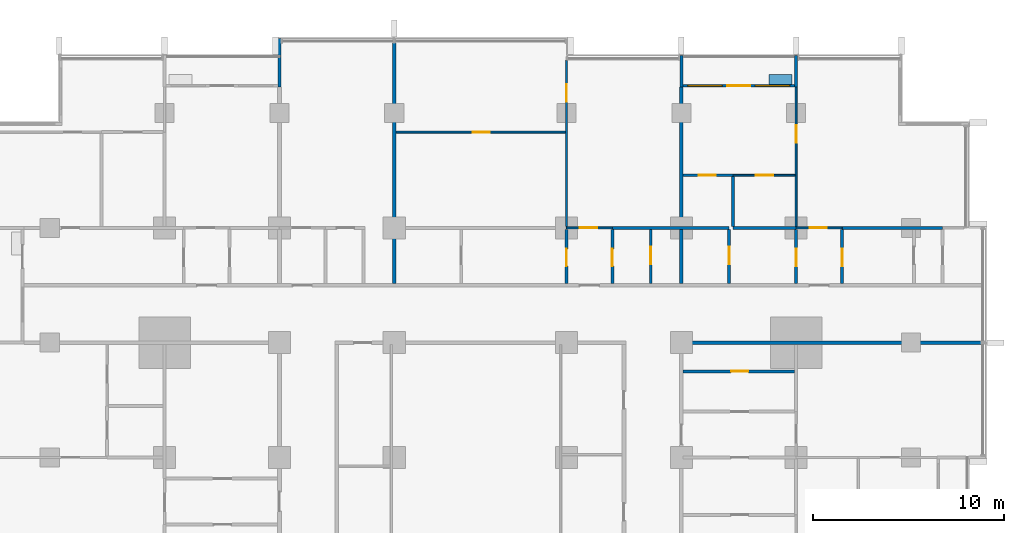
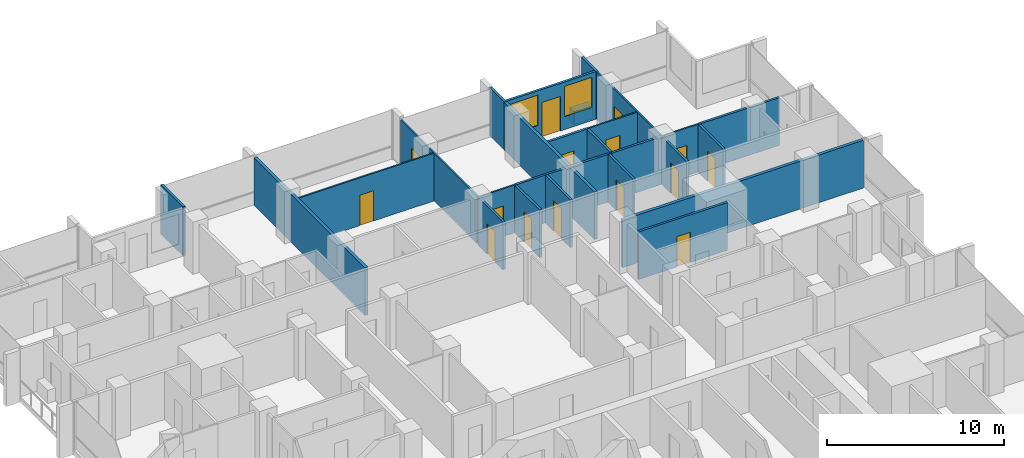
# One storey, part 12 of 18: 27 walls, 15 doors, 2 windows, 17 openings.
"""IFC4 building model written with IfcOpenShell, lengths in metres."""

import ifcopenshell
import ifcopenshell.guid

model = None  # the IFC model being written
_history = None  # IfcOwnerHistory: only IFC2X3 demands one
_inside = {}  # id of a spatial element -> (the spatial element, [elements in it])
_under = {}  # id of a project, library or spatial element -> (it, [spatial elements below it])
_declared = {}  # id of a project -> (the project, [libraries it declares])
_typed = {}  # id of a type object -> (the type object, [elements of that type])
_made_of = {}  # id of a material, layer set ... -> (it, [elements and type objects made of it])


def new_model(schema):
    """Start an empty IFC model of exactly this schema.

    Asked for "IFC4X3", IfcOpenShell would pick the latest addendum, in which some entities
    have other attributes; the version numbers below select the first issue.
    IFC2X3 requires an IfcOwnerHistory on every rooted entity: one is made here for all.
    """
    global model, _history
    if schema == "IFC4X3":
        model = ifcopenshell.file(schema_version=(4, 3, 0, 0))
    else:
        model = ifcopenshell.file(schema=schema)
    _inside.clear()
    _under.clear()
    _declared.clear()
    _typed.clear()
    _made_of.clear()
    _history = None
    if model.schema == "IFC2X3":
        org = make("IfcOrganization", Name="unknown")
        user = make(
            "IfcPersonAndOrganization",
            ThePerson=make("IfcPerson", FamilyName="unknown"),
            TheOrganization=org,
        )
        app = make(
            "IfcApplication",
            ApplicationDeveloper=org,
            Version="unknown",
            ApplicationFullName="unknown",
            ApplicationIdentifier="unknown",
        )
        _history = make(
            "IfcOwnerHistory",
            OwningUser=user,
            OwningApplication=app,
            ChangeAction="ADDED",
            CreationDate=0,
        )
    return model


def make(cls, **values):
    """One entity of the class cls with the attributes given. An attribute that is None is left unset."""
    return model.create_entity(
        cls, **{name: value for name, value in values.items() if value is not None}
    )


def rooted(cls, **values):
    """An entity with a GlobalId (a new one), such as an element, a storey or a relation."""
    return make(cls, GlobalId=ifcopenshell.guid.new(), OwnerHistory=_history, **values)


def si_unit(unit_type, name, prefix=None):
    """IfcSIUnit, for example si_unit("LENGTHUNIT", "METRE", prefix="MILLI")."""
    return make("IfcSIUnit", UnitType=unit_type, Prefix=prefix, Name=name)


def assignment(units):
    """IfcUnitAssignment: the units of a project."""
    return None if units is None else make("IfcUnitAssignment", Units=units)


def point(xyz):
    """IfcCartesianPoint."""
    return None if xyz is None else make("IfcCartesianPoint", Coordinates=xyz)


def direction(xyz):
    """IfcDirection."""
    return None if xyz is None else make("IfcDirection", DirectionRatios=xyz)


def frame(location, z_axis=None, x_axis=None):
    """IfcAxis2Placement3D, a coordinate frame: its origin and axes. An axis left out is left unset."""
    return make(
        "IfcAxis2Placement3D",
        Location=point(location),
        Axis=direction(z_axis),
        RefDirection=direction(x_axis),
    )


def frame_2d(location, x_axis=None):
    """IfcAxis2Placement2D, a coordinate frame in the plane: its origin and x axis."""
    return make(
        "IfcAxis2Placement2D", Location=point(location), RefDirection=direction(x_axis)
    )


def origin():
    """The frame at (0, 0, 0) with its axes left unset."""
    return frame((0.0, 0.0, 0.0))


def place(relative_to, where):
    """IfcLocalPlacement: puts the frame where relative to a parent placement (None: the world)."""
    return make(
        "IfcLocalPlacement", PlacementRelTo=relative_to, RelativePlacement=where
    )


def context(
    kind, dimensions, precision=None, world=None, true_north=None, identifier=None
):
    """IfcGeometricRepresentationContext, for example the 3D "Model" context."""
    return make(
        "IfcGeometricRepresentationContext",
        ContextIdentifier=identifier,
        ContextType=kind,
        CoordinateSpaceDimension=dimensions,
        Precision=precision,
        WorldCoordinateSystem=world,
        TrueNorth=true_north,
    )


def subcontext(parent, identifier, kind, view, scale=None):
    """IfcGeometricRepresentationSubContext, for example "Body" below "Model"."""
    return make(
        "IfcGeometricRepresentationSubContext",
        ContextIdentifier=identifier,
        ContextType=kind,
        ParentContext=parent,
        TargetScale=scale,
        TargetView=view,
    )


def project(units=None, contexts=None):
    """IfcProject with its units and contexts."""
    return rooted(
        "IfcProject",
        Name="project",
        RepresentationContexts=contexts,
        UnitsInContext=assignment(units),
    )


def spatial(cls, under=None, at=None, **own):
    """A site, building, storey or space (cls), placed at a placement, below another one or the project."""
    s = rooted(cls, ObjectPlacement=at, **own)
    if under is not None:
        _under.setdefault(under.id(), (under, []))[1].append(s)
    return s


def profile(cls, at=None, kind="AREA", **sizes):
    """A parametric profile (cls). Its sizes go by their IFC names, for example OverallWidth=200.0."""
    return make(cls, ProfileType=kind, Position=at, **sizes)


def rectangle(**sizes):
    """IfcRectangleProfileDef."""
    return profile("IfcRectangleProfileDef", **sizes)


def extrude(swept, where, along, depth):
    """IfcExtrudedAreaSolid: the profile swept, set in the frame where, extruded along a direction by depth."""
    return make(
        "IfcExtrudedAreaSolid",
        SweptArea=swept,
        Position=where,
        ExtrudedDirection=direction(along),
        Depth=depth,
    )


def shape(context_of_items, identifier, shape_type, items):
    """IfcShapeRepresentation: the items that make up one representation, for example the "Body"."""
    return make(
        "IfcShapeRepresentation",
        ContextOfItems=context_of_items,
        RepresentationIdentifier=identifier,
        RepresentationType=shape_type,
        Items=items,
    )


def material(Name=None, Category=None):
    """IfcMaterial."""
    return make("IfcMaterial", Name=Name, Category=Category)


def layer(
    of_material, thickness, ventilated=None, Name=None, Category=None, Priority=None
):
    """IfcMaterialLayer: one layer of a wall or slab, of a material (None: an air gap)."""
    return make(
        "IfcMaterialLayer",
        Material=of_material,
        LayerThickness=thickness,
        IsVentilated=ventilated,
        Name=Name,
        Category=Category,
        Priority=Priority,
    )


def layer_set(layers, Name=None):
    """IfcMaterialLayerSet."""
    return make("IfcMaterialLayerSet", MaterialLayers=layers, LayerSetName=Name)


def made_of(thing, what):
    """Note that an element or type object is made of a material, layer set ...; save() writes the relation."""
    if what is not None:
        _made_of.setdefault(what.id(), (what, []))[1].append(thing)
    return thing


def type_object(cls, material=None, **own):
    """A type object (cls), such as IfcWallType, which elements share."""
    return made_of(rooted(cls, **own), material)


def element(
    cls,
    number,
    at=None,
    inside=None,
    cuts=None,
    type_object=None,
    material=None,
    context=None,
    identifier="Body",
    shape_type=None,
    held_by="IfcProductDefinitionShape",
    body=None,
    shapes=None,
    **own,
):
    """One element of the class cls, such as IfcWall. Its Tag is "e" and its number.

    at: its placement. inside: the storey or other place that contains it. cuts: it is an
    opening in that element (IfcRelVoidsElement). A single representation is given by context,
    identifier, shape_type and body (its items); several are given by shapes. held_by: the class
    of the entity that holds the representations. save() writes the other relations.
    """
    e = rooted(cls, Tag="e%d" % number, ObjectPlacement=at, **own)
    if body is not None:
        shapes = [shape(context, identifier, shape_type, body)]
    if shapes is not None:
        e.Representation = make(held_by, Representations=shapes)
    if inside is not None:
        _inside.setdefault(inside.id(), (inside, []))[1].append(e)
    if cuts is not None:
        rooted(
            "IfcRelVoidsElement", RelatingBuildingElement=cuts, RelatedOpeningElement=e
        )
    if type_object is not None:
        _typed.setdefault(type_object.id(), (type_object, []))[1].append(e)
    return made_of(e, material)


def fill(opening, filler):
    """IfcRelFillsElement: the door or window that sits in an opening."""
    return rooted(
        "IfcRelFillsElement",
        RelatingOpeningElement=opening,
        RelatedBuildingElement=filler,
    )


def aggregate(whole, parts):
    """IfcRelAggregates: a whole, such as a stair, and the parts it consists of."""
    return rooted("IfcRelAggregates", RelatingObject=whole, RelatedObjects=parts)


def save(model, path):
    """Write the relations noted so far, then the file.

    IfcRelAggregates (storeys below a building ...), IfcRelContainedInSpatialStructure (elements
    in a storey), IfcRelDefinesByType, IfcRelAssociatesMaterial and IfcRelDeclares: one each for
    every whole, place, type object, material and project.
    """
    for whole, parts in _under.values():
        aggregate(whole, parts)
    for where, things in _inside.values():
        rooted(
            "IfcRelContainedInSpatialStructure",
            RelatedElements=things,
            RelatingStructure=where,
        )
    for kind, things in _typed.values():
        rooted("IfcRelDefinesByType", RelatedObjects=things, RelatingType=kind)
    for what, things in _made_of.values():
        rooted("IfcRelAssociatesMaterial", RelatedObjects=things, RelatingMaterial=what)
    for by, libraries in _declared.values():
        rooted("IfcRelDeclares", RelatingContext=by, RelatedDefinitions=libraries)
    model.write(path)


model = new_model("IFC4")

# Units and contexts
model_context = context("Model", 3, precision=1e-05, world=origin(), true_north=direction((0.0, 1.0)))
body_context = subcontext(model_context, "Body", "Model", "MODEL_VIEW")
ifc_project = project(units=[si_unit("LENGTHUNIT", "METRE"), si_unit("AREAUNIT", "SQUARE_METRE"), si_unit("VOLUMEUNIT", "CUBIC_METRE"), si_unit("PLANEANGLEUNIT", "RADIAN"), si_unit("MASSUNIT", "GRAM", prefix="KILO")], contexts=[model_context])

# Site, building, storey
site_placement = place(None, origin())
site = spatial("IfcSite", under=ifc_project, at=site_placement, CompositionType="ELEMENT")
building_placement = place(site_placement, origin())
building = spatial("IfcBuilding", under=site, at=building_placement, Name="Finial Court Residences", CompositionType="ELEMENT")
storey_placement = place(building_placement, frame((0.0, 0.0, 106.300048828125)))
storey = spatial("IfcBuildingStorey", under=building, at=storey_placement, Name="L26", CompositionType="ELEMENT", Elevation=106.300048828125)

# Walls
ifc_material_1 = material(Name="Gypsum board")
ifc_layer_1 = layer(ifc_material_1, 0.02490234375)
ifc_material_2 = material(Name="Acoustic mineral wool in double frame")
ifc_layer_2 = layer(ifc_material_2, 0.14990234375)
ifc_layer_3 = layer(ifc_material_1, 0.02490234375)
ifc_layer_set_1 = layer_set([ifc_layer_1, ifc_layer_2, ifc_layer_3], Name="Acoustic party wall 200, 1 hour")
wall_type_1 = type_object("IfcWallType", Name="Acoustic party wall 200, 1 hour", PredefinedType="PARTITIONING", material=ifc_layer_set_1)
wall_1_placement = place(storey_placement, frame((-4.5, 10.60009765625, 0.0), z_axis=(0.0, 0.0, 1.0), x_axis=(0.0, 1.0, 0.0)))
element("IfcWall", 1, at=wall_1_placement, inside=storey, type_object=wall_type_1, Name="Partition L26-068", PredefinedType="PARTITIONING", context=body_context, shape_type="SweptSolid", body=[
    extrude(rectangle(XDim=12.5498046875, YDim=0.199951171875, at=frame_2d((6.27490234375, 0.0))), origin(), (0.0, 0.0, 1.0), 3.300048828125),
])
wall_2_placement = place(storey_placement, frame((10.5, 10.60009765625, 0.0), z_axis=(0.0, 0.0, 1.0), x_axis=(0.0, 1.0, 0.0)))
element("IfcWall", 2, at=wall_2_placement, inside=storey, type_object=wall_type_1, Name="Partition L26-077", PredefinedType="PARTITIONING", context=body_context, shape_type="SweptSolid", body=[
    extrude(rectangle(XDim=2.824951171875, YDim=0.199951171875, at=frame_2d((1.41259765625, 0.0))), origin(), (0.0, 0.0, 1.0), 3.300048828125),
])
wall_3_placement = place(storey_placement, frame((10.5, 13.574951171875, 0.0), z_axis=(0.0, 0.0, 1.0), x_axis=(0.0, 1.0, 0.0)))
element("IfcWall", 3, at=wall_3_placement, inside=storey, type_object=wall_type_1, Name="Partition L26-078", PredefinedType="PARTITIONING", context=body_context, shape_type="SweptSolid", body=[
    extrude(rectangle(XDim=7.275146484375, YDim=0.199951171875, at=frame_2d((3.6376953125, 0.0))), origin(), (0.0, 0.0, 1.0), 3.300048828125),
])
ifc_layer_4 = layer(ifc_material_1, 0.02490234375)
ifc_layer_5 = layer(ifc_material_2, 0.14990234375)
ifc_layer_6 = layer(ifc_material_1, 0.02490234375)
ifc_layer_set_2 = layer_set([ifc_layer_4, ifc_layer_5, ifc_layer_6], Name="Corridor wall 200, 1 hour")
wall_type_2 = type_object("IfcWallType", Name="Corridor wall 200, 1 hour", PredefinedType="PARTITIONING", material=ifc_layer_set_2)
wall_4_placement = place(storey_placement, frame((10.39990234375, 7.5, 0.0), z_axis=(0.0, 0.0, 1.0), x_axis=(1.0, 0.0, 0.0)))
element("IfcWall", 4, at=wall_4_placement, inside=storey, type_object=wall_type_2, Name="Partition L26-026", PredefinedType="PARTITIONING", context=body_context, shape_type="SweptSolid", body=[
    extrude(rectangle(XDim=15.75, YDim=0.199951171875, at=frame_2d((7.875, 0.0))), origin(), (0.0, 0.0, 1.0), 3.300048828125),
])

# Wall, opening, door
ifc_layer_7 = layer(ifc_material_1, 0.012451171875)
ifc_material_3 = material(Name="Mineral wool in light-gauge frame")
ifc_layer_8 = layer(ifc_material_3, 0.074951171875)
ifc_layer_9 = layer(ifc_material_1, 0.012451171875)
ifc_layer_set_3 = layer_set([ifc_layer_7, ifc_layer_8, ifc_layer_9], Name="Gypsum board partition 100")
wall_type_3 = type_object("IfcWallType", Name="Gypsum board partition 100", PredefinedType="PARTITIONING", material=ifc_layer_set_3)
wall_5_placement = place(storey_placement, frame((4.5, 13.5, 0.0), z_axis=(0.0, 0.0, 1.0), x_axis=(1.0, 0.0, 0.0)))
wall_5 = element("IfcWall", 5, at=wall_5_placement, inside=storey, type_object=wall_type_3, Name="Partition L26-030", PredefinedType="PARTITIONING", context=body_context, shape_type="SweptSolid", body=[
    extrude(rectangle(XDim=2.39990234375, YDim=0.10009765625, at=frame_2d((1.199951171875, 0.0))), origin(), (0.0, 0.0, 1.0), 3.300048828125),
])
opening_1_placement = place(wall_5_placement, frame((0.699951171875, 0.0, 0.0)))
opening_1 = element("IfcOpeningElement", 6, at=opening_1_placement, cuts=wall_5, Name="Opening L26-D024", PredefinedType="OPENING", context=body_context, shape_type="SweptSolid", body=[
    extrude(rectangle(XDim=0.89990234375, YDim=2.10009765625, at=frame_2d((0.449951171875, 1.050048828125))), frame((0.0, 0.06005859375, 0.0), z_axis=(0.0, -1.0, 0.0), x_axis=(1.0, 0.0, 0.0)), (0.0, 0.0, 1.0), 0.1201171875),
])
ifc_material_4 = material(Name="Timber door leaf in timber frame", Category="wood")
door_type_1 = type_object("IfcDoorType", Name="Door set 900 x 2100", OperationType="SINGLE_SWING_LEFT", PredefinedType="DOOR", material=ifc_material_4)
door_1_placement = place(opening_1_placement, origin())
door_1 = element("IfcDoor", 7, at=door_1_placement, inside=storey, type_object=door_type_1, Name="Door L26-D024", OperationType="SINGLE_SWING_RIGHT", OverallHeight=2.10009765625, OverallWidth=0.89990234375, PredefinedType="DOOR", context=body_context, shape_type="SweptSolid", body=[
    extrude(rectangle(XDim=0.89990234375, YDim=2.10009765625, at=frame_2d((0.449951171875, 1.050048828125))), frame((0.0, 0.02490234375, 0.0), z_axis=(0.0, -1.0, 0.0), x_axis=(1.0, 0.0, 0.0)), (0.0, 0.0, 1.0), 0.050048828125),
])
fill(opening_1, door_1)

wall_6_placement = place(storey_placement, frame((16.5, 13.5, 0.0), z_axis=(0.0, 0.0, 1.0), x_axis=(1.0, 0.0, 0.0)))
wall_6 = element("IfcWall", 8, at=wall_6_placement, inside=storey, type_object=wall_type_3, Name="Partition L26-031", PredefinedType="PARTITIONING", context=body_context, shape_type="SweptSolid", body=[
    extrude(rectangle(XDim=2.39990234375, YDim=0.10009765625, at=frame_2d((1.199951171875, 0.0))), origin(), (0.0, 0.0, 1.0), 3.300048828125),
])
opening_2_placement = place(wall_6_placement, frame((0.699951171875, 0.0, 0.0)))
opening_2 = element("IfcOpeningElement", 9, at=opening_2_placement, cuts=wall_6, Name="Opening L26-D025", PredefinedType="OPENING", context=body_context, shape_type="SweptSolid", body=[
    extrude(rectangle(XDim=0.89990234375, YDim=2.10009765625, at=frame_2d((0.449951171875, 1.050048828125))), frame((0.0, 0.06005859375, 0.0), z_axis=(0.0, -1.0, 0.0), x_axis=(1.0, 0.0, 0.0)), (0.0, 0.0, 1.0), 0.1201171875),
])
door_2_placement = place(opening_2_placement, origin())
door_2 = element("IfcDoor", 10, at=door_2_placement, inside=storey, type_object=door_type_1, Name="Door L26-D025", OperationType="SINGLE_SWING_LEFT", OverallHeight=2.10009765625, OverallWidth=0.89990234375, PredefinedType="DOOR", context=body_context, shape_type="SweptSolid", body=[
    extrude(rectangle(XDim=0.89990234375, YDim=2.10009765625, at=frame_2d((0.449951171875, 1.050048828125))), frame((0.0, 0.02490234375, 0.0), z_axis=(0.0, -1.0, 0.0), x_axis=(1.0, 0.0, 0.0)), (0.0, 0.0, 1.0), 0.050048828125),
])
fill(opening_2, door_2)

wall_7_placement = place(storey_placement, frame((13.199951171875, 16.25, 0.0), z_axis=(0.0, 0.0, 1.0), x_axis=(1.0, 0.0, 0.0)))
wall_7 = element("IfcWall", 11, at=wall_7_placement, inside=storey, type_object=wall_type_3, Name="Partition L26-040", PredefinedType="PARTITIONING", context=body_context, shape_type="SweptSolid", body=[
    extrude(rectangle(XDim=3.25, YDim=0.10009765625, at=frame_2d((1.625, 0.0))), origin(), (0.0, 0.0, 1.0), 3.300048828125),
])
opening_3_placement = place(wall_7_placement, frame((1.199951171875, 0.0, 0.0)))
opening_3 = element("IfcOpeningElement", 12, at=opening_3_placement, cuts=wall_7, Name="Opening L26-D028", PredefinedType="OPENING", context=body_context, shape_type="SweptSolid", body=[
    extrude(rectangle(XDim=0.89990234375, YDim=2.10009765625, at=frame_2d((0.449951171875, 1.050048828125))), frame((0.0, 0.06005859375, 0.0), z_axis=(0.0, -1.0, 0.0), x_axis=(1.0, 0.0, 0.0)), (0.0, 0.0, 1.0), 0.1201171875),
])
door_3_placement = place(opening_3_placement, origin())
door_3 = element("IfcDoor", 13, at=door_3_placement, inside=storey, type_object=door_type_1, Name="Door L26-D028", OperationType="SINGLE_SWING_RIGHT", OverallHeight=2.10009765625, OverallWidth=0.89990234375, PredefinedType="DOOR", context=body_context, shape_type="SweptSolid", body=[
    extrude(rectangle(XDim=0.89990234375, YDim=2.10009765625, at=frame_2d((0.449951171875, 1.050048828125))), frame((0.0, 0.02490234375, 0.0), z_axis=(0.0, -1.0, 0.0), x_axis=(1.0, 0.0, 0.0)), (0.0, 0.0, 1.0), 0.050048828125),
])
fill(opening_3, door_3)

wall_8_placement = place(storey_placement, frame((-4.39990234375, 18.5, 0.0), z_axis=(0.0, 0.0, 1.0), x_axis=(1.0, 0.0, 0.0)))
wall_8 = element("IfcWall", 14, at=wall_8_placement, inside=storey, type_object=wall_type_3, Name="Partition L26-043", PredefinedType="PARTITIONING", context=body_context, shape_type="SweptSolid", body=[
    extrude(rectangle(XDim=8.849853515625, YDim=0.10009765625, at=frame_2d((4.4248046875, 0.0))), origin(), (0.0, 0.0, 1.0), 3.300048828125),
])
opening_4_placement = place(wall_8_placement, frame((4.0, 0.0, 0.0)))
opening_4 = element("IfcOpeningElement", 15, at=opening_4_placement, cuts=wall_8, Name="Opening L26-D031", PredefinedType="OPENING", context=body_context, shape_type="SweptSolid", body=[
    extrude(rectangle(XDim=0.89990234375, YDim=2.10009765625, at=frame_2d((0.449951171875, 1.050048828125))), frame((0.0, 0.06005859375, 0.0), z_axis=(0.0, -1.0, 0.0), x_axis=(1.0, 0.0, 0.0)), (0.0, 0.0, 1.0), 0.1201171875),
])
door_4_placement = place(opening_4_placement, origin())
door_4 = element("IfcDoor", 16, at=door_4_placement, inside=storey, type_object=door_type_1, Name="Door L26-D031", OperationType="SINGLE_SWING_LEFT", OverallHeight=2.10009765625, OverallWidth=0.89990234375, PredefinedType="DOOR", context=body_context, shape_type="SweptSolid", body=[
    extrude(rectangle(XDim=0.89990234375, YDim=2.10009765625, at=frame_2d((0.449951171875, 1.050048828125))), frame((0.0, 0.02490234375, 0.0), z_axis=(0.0, -1.0, 0.0), x_axis=(1.0, 0.0, 0.0)), (0.0, 0.0, 1.0), 0.050048828125),
])
fill(opening_4, door_4)

wall_9_placement = place(storey_placement, frame((4.5, 13.574951171875, 0.0), z_axis=(0.0, 0.0, 1.0), x_axis=(0.0, 1.0, 0.0)))
wall_9 = element("IfcWall", 17, at=wall_9_placement, inside=storey, type_object=wall_type_3, Name="Partition L26-071", PredefinedType="PARTITIONING", context=body_context, shape_type="SweptSolid", body=[
    extrude(rectangle(XDim=8.675048828125, YDim=0.10009765625, at=frame_2d((4.33740234375, 0.0))), origin(), (0.0, 0.0, 1.0), 3.300048828125),
])
opening_5_placement = place(wall_9_placement, frame((6.52490234375, 0.0, 0.0)))
opening_5 = element("IfcOpeningElement", 18, at=opening_5_placement, cuts=wall_9, Name="Opening L26-D044", PredefinedType="OPENING", context=body_context, shape_type="SweptSolid", body=[
    extrude(rectangle(XDim=0.89990234375, YDim=2.10009765625, at=frame_2d((0.449951171875, 1.050048828125))), frame((0.0, 0.06005859375, 0.0), z_axis=(0.0, -1.0, 0.0), x_axis=(1.0, 0.0, 0.0)), (0.0, 0.0, 1.0), 0.1201171875),
])
door_5_placement = place(opening_5_placement, origin())
door_5 = element("IfcDoor", 19, at=door_5_placement, inside=storey, type_object=door_type_1, Name="Door L26-D044", OperationType="SINGLE_SWING_LEFT", OverallHeight=2.10009765625, OverallWidth=0.89990234375, PredefinedType="DOOR", context=body_context, shape_type="SweptSolid", body=[
    extrude(rectangle(XDim=0.89990234375, YDim=2.10009765625, at=frame_2d((0.449951171875, 1.050048828125))), frame((0.0, 0.02490234375, 0.0), z_axis=(0.0, -1.0, 0.0), x_axis=(1.0, 0.0, 0.0)), (0.0, 0.0, 1.0), 0.050048828125),
])
fill(opening_5, door_5)

wall_10_placement = place(storey_placement, frame((16.5, 13.574951171875, 0.0), z_axis=(0.0, 0.0, 1.0), x_axis=(0.0, 1.0, 0.0)))
wall_10 = element("IfcWall", 20, at=wall_10_placement, inside=storey, type_object=wall_type_3, Name="Partition L26-085", PredefinedType="PARTITIONING", context=body_context, shape_type="SweptSolid", body=[
    extrude(rectangle(XDim=7.275146484375, YDim=0.10009765625, at=frame_2d((3.6376953125, 0.0))), origin(), (0.0, 0.0, 1.0), 3.300048828125),
])
opening_6_placement = place(wall_10_placement, frame((4.375, 0.0, 0.0)))
opening_6 = element("IfcOpeningElement", 21, at=opening_6_placement, cuts=wall_10, Name="Opening L26-D054", PredefinedType="OPENING", context=body_context, shape_type="SweptSolid", body=[
    extrude(rectangle(XDim=0.89990234375, YDim=2.10009765625, at=frame_2d((0.449951171875, 1.050048828125))), frame((0.0, 0.06005859375, 0.0), z_axis=(0.0, -1.0, 0.0), x_axis=(1.0, 0.0, 0.0)), (0.0, 0.0, 1.0), 0.1201171875),
])
door_6_placement = place(opening_6_placement, origin())
door_6 = element("IfcDoor", 22, at=door_6_placement, inside=storey, type_object=door_type_1, Name="Door L26-D054", OperationType="SINGLE_SWING_LEFT", OverallHeight=2.10009765625, OverallWidth=0.89990234375, PredefinedType="DOOR", context=body_context, shape_type="SweptSolid", body=[
    extrude(rectangle(XDim=0.89990234375, YDim=2.10009765625, at=frame_2d((0.449951171875, 1.050048828125))), frame((0.0, 0.02490234375, 0.0), z_axis=(0.0, -1.0, 0.0), x_axis=(1.0, 0.0, 0.0)), (0.0, 0.0, 1.0), 0.050048828125),
])
fill(opening_6, door_6)

ifc_material_5 = material(Name="Moisture-resistant gypsum board")
ifc_layer_10 = layer(ifc_material_5, 0.012451171875)
ifc_layer_11 = layer(ifc_material_3, 0.125)
ifc_layer_12 = layer(ifc_material_5, 0.012451171875)
ifc_layer_set_4 = layer_set([ifc_layer_10, ifc_layer_11, ifc_layer_12], Name="Gypsum board wet-area partition 150")
wall_type_4 = type_object("IfcWallType", Name="Gypsum board wet-area partition 150", PredefinedType="PARTITIONING", material=ifc_layer_set_4)
wall_11_placement = place(storey_placement, frame((10.60009765625, 6.0, 0.0), z_axis=(0.0, 0.0, 1.0), x_axis=(1.0, 0.0, 0.0)))
wall_11 = element("IfcWall", 23, at=wall_11_placement, inside=storey, type_object=wall_type_4, Name="Partition L26-023", PredefinedType="PARTITIONING", context=body_context, shape_type="SweptSolid", body=[
    extrude(rectangle(XDim=5.824951171875, YDim=0.14990234375, at=frame_2d((2.91259765625, 0.0))), origin(), (0.0, 0.0, 1.0), 3.300048828125),
])
opening_7_placement = place(wall_11_placement, frame((2.5, 0.0, 0.0)))
opening_7 = element("IfcOpeningElement", 24, at=opening_7_placement, cuts=wall_11, Name="Opening L26-D016", PredefinedType="OPENING", context=body_context, shape_type="SweptSolid", body=[
    extrude(rectangle(XDim=0.89990234375, YDim=2.10009765625, at=frame_2d((0.449951171875, 1.050048828125))), frame((0.0, 0.0849609375, 0.0), z_axis=(0.0, -1.0, 0.0), x_axis=(1.0, 0.0, 0.0)), (0.0, 0.0, 1.0), 0.169921875),
])
door_7_placement = place(opening_7_placement, origin())
door_7 = element("IfcDoor", 25, at=door_7_placement, inside=storey, type_object=door_type_1, Name="Door L26-D016", OperationType="SINGLE_SWING_RIGHT", OverallHeight=2.10009765625, OverallWidth=0.89990234375, PredefinedType="DOOR", context=body_context, shape_type="SweptSolid", body=[
    extrude(rectangle(XDim=0.89990234375, YDim=2.10009765625, at=frame_2d((0.449951171875, 1.050048828125))), frame((0.0, 0.02490234375, 0.0), z_axis=(0.0, -1.0, 0.0), x_axis=(1.0, 0.0, 0.0)), (0.0, 0.0, 1.0), 0.050048828125),
])
fill(opening_7, door_7)

# Walls
wall_12_placement = place(storey_placement, frame((6.89990234375, 13.5, 0.0), z_axis=(0.0, 0.0, 1.0), x_axis=(1.0, 0.0, 0.0)))
element("IfcWall", 26, at=wall_12_placement, inside=storey, type_object=wall_type_4, Name="Partition L26-037", PredefinedType="PARTITIONING", context=body_context, shape_type="SweptSolid", body=[
    extrude(rectangle(XDim=6.10009765625, YDim=0.14990234375, at=frame_2d((3.050048828125, 0.0))), origin(), (0.0, 0.0, 1.0), 3.300048828125),
])
wall_13_placement = place(storey_placement, frame((13.199951171875, 13.5, 0.0), z_axis=(0.0, 0.0, 1.0), x_axis=(1.0, 0.0, 0.0)))
element("IfcWall", 27, at=wall_13_placement, inside=storey, type_object=wall_type_4, Name="Partition L26-038", PredefinedType="PARTITIONING", context=body_context, shape_type="SweptSolid", body=[
    extrude(rectangle(XDim=3.300048828125, YDim=0.14990234375, at=frame_2d((1.64990234375, 0.0))), origin(), (0.0, 0.0, 1.0), 3.300048828125),
])
wall_14_placement = place(storey_placement, frame((18.89990234375, 13.5, 0.0), z_axis=(0.0, 0.0, 1.0), x_axis=(1.0, 0.0, 0.0)))
element("IfcWall", 28, at=wall_14_placement, inside=storey, type_object=wall_type_4, Name="Partition L26-039", PredefinedType="PARTITIONING", context=body_context, shape_type="SweptSolid", body=[
    extrude(rectangle(XDim=5.25, YDim=0.14990234375, at=frame_2d((2.625, 0.0))), origin(), (0.0, 0.0, 1.0), 3.300048828125),
])

# Wall, opening, door
wall_15_placement = place(storey_placement, frame((10.60009765625, 16.25, 0.0), z_axis=(0.0, 0.0, 1.0), x_axis=(1.0, 0.0, 0.0)))
wall_15 = element("IfcWall", 29, at=wall_15_placement, inside=storey, type_object=wall_type_4, Name="Partition L26-041", PredefinedType="PARTITIONING", context=body_context, shape_type="SweptSolid", body=[
    extrude(rectangle(XDim=2.599853515625, YDim=0.14990234375, at=frame_2d((1.2998046875, 0.0))), origin(), (0.0, 0.0, 1.0), 3.300048828125),
])
opening_8_placement = place(wall_15_placement, frame((0.800048828125, 0.0, 0.0)))
opening_8 = element("IfcOpeningElement", 30, at=opening_8_placement, cuts=wall_15, Name="Opening L26-D029", PredefinedType="OPENING", context=body_context, shape_type="SweptSolid", body=[
    extrude(rectangle(XDim=0.89990234375, YDim=2.10009765625, at=frame_2d((0.449951171875, 1.050048828125))), frame((0.0, 0.0849609375, 0.0), z_axis=(0.0, -1.0, 0.0), x_axis=(1.0, 0.0, 0.0)), (0.0, 0.0, 1.0), 0.169921875),
])
door_8_placement = place(opening_8_placement, origin())
door_8 = element("IfcDoor", 31, at=door_8_placement, inside=storey, type_object=door_type_1, Name="Door L26-D029", OperationType="SINGLE_SWING_LEFT", OverallHeight=2.10009765625, OverallWidth=0.89990234375, PredefinedType="DOOR", context=body_context, shape_type="SweptSolid", body=[
    extrude(rectangle(XDim=0.89990234375, YDim=2.10009765625, at=frame_2d((0.449951171875, 1.050048828125))), frame((0.0, 0.02490234375, 0.0), z_axis=(0.0, -1.0, 0.0), x_axis=(1.0, 0.0, 0.0)), (0.0, 0.0, 1.0), 0.050048828125),
])
fill(opening_8, door_8)

wall_16_placement = place(storey_placement, frame((4.5, 10.60009765625, 0.0), z_axis=(0.0, 0.0, 1.0), x_axis=(0.0, 1.0, 0.0)))
wall_16 = element("IfcWall", 32, at=wall_16_placement, inside=storey, type_object=wall_type_4, Name="Partition L26-072", PredefinedType="PARTITIONING", context=body_context, shape_type="SweptSolid", body=[
    extrude(rectangle(XDim=2.824951171875, YDim=0.14990234375, at=frame_2d((1.41259765625, 0.0))), origin(), (0.0, 0.0, 1.0), 3.300048828125),
])
opening_9_placement = place(wall_16_placement, frame((0.89990234375, 0.0, 0.0)))
opening_9 = element("IfcOpeningElement", 33, at=opening_9_placement, cuts=wall_16, Name="Opening L26-D045", PredefinedType="OPENING", context=body_context, shape_type="SweptSolid", body=[
    extrude(rectangle(XDim=0.89990234375, YDim=2.10009765625, at=frame_2d((0.449951171875, 1.050048828125))), frame((0.0, 0.0849609375, 0.0), z_axis=(0.0, -1.0, 0.0), x_axis=(1.0, 0.0, 0.0)), (0.0, 0.0, 1.0), 0.169921875),
])
door_9_placement = place(opening_9_placement, origin())
door_9 = element("IfcDoor", 34, at=door_9_placement, inside=storey, type_object=door_type_1, Name="Door L26-D045", OperationType="SINGLE_SWING_RIGHT", OverallHeight=2.10009765625, OverallWidth=0.89990234375, PredefinedType="DOOR", context=body_context, shape_type="SweptSolid", body=[
    extrude(rectangle(XDim=0.89990234375, YDim=2.10009765625, at=frame_2d((0.449951171875, 1.050048828125))), frame((0.0, 0.02490234375, 0.0), z_axis=(0.0, -1.0, 0.0), x_axis=(1.0, 0.0, 0.0)), (0.0, 0.0, 1.0), 0.050048828125),
])
fill(opening_9, door_9)

wall_17_placement = place(storey_placement, frame((6.89990234375, 10.60009765625, 0.0), z_axis=(0.0, 0.0, 1.0), x_axis=(0.0, 1.0, 0.0)))
wall_17 = element("IfcWall", 35, at=wall_17_placement, inside=storey, type_object=wall_type_4, Name="Partition L26-073", PredefinedType="PARTITIONING", context=body_context, shape_type="SweptSolid", body=[
    extrude(rectangle(XDim=2.824951171875, YDim=0.14990234375, at=frame_2d((1.41259765625, 0.0))), origin(), (0.0, 0.0, 1.0), 3.300048828125),
])
opening_10_placement = place(wall_17_placement, frame((0.89990234375, 0.0, 0.0)))
opening_10 = element("IfcOpeningElement", 36, at=opening_10_placement, cuts=wall_17, Name="Opening L26-D046", PredefinedType="OPENING", context=body_context, shape_type="SweptSolid", body=[
    extrude(rectangle(XDim=0.89990234375, YDim=2.10009765625, at=frame_2d((0.449951171875, 1.050048828125))), frame((0.0, 0.0849609375, 0.0), z_axis=(0.0, -1.0, 0.0), x_axis=(1.0, 0.0, 0.0)), (0.0, 0.0, 1.0), 0.169921875),
])
door_10_placement = place(opening_10_placement, origin())
door_10 = element("IfcDoor", 37, at=door_10_placement, inside=storey, type_object=door_type_1, Name="Door L26-D046", OperationType="SINGLE_SWING_LEFT", OverallHeight=2.10009765625, OverallWidth=0.89990234375, PredefinedType="DOOR", context=body_context, shape_type="SweptSolid", body=[
    extrude(rectangle(XDim=0.89990234375, YDim=2.10009765625, at=frame_2d((0.449951171875, 1.050048828125))), frame((0.0, 0.02490234375, 0.0), z_axis=(0.0, -1.0, 0.0), x_axis=(1.0, 0.0, 0.0)), (0.0, 0.0, 1.0), 0.050048828125),
])
fill(opening_10, door_10)

wall_18_placement = place(storey_placement, frame((8.89990234375, 10.60009765625, 0.0), z_axis=(0.0, 0.0, 1.0), x_axis=(0.0, 1.0, 0.0)))
wall_18 = element("IfcWall", 38, at=wall_18_placement, inside=storey, type_object=wall_type_4, Name="Partition L26-075", PredefinedType="PARTITIONING", context=body_context, shape_type="SweptSolid", body=[
    extrude(rectangle(XDim=2.824951171875, YDim=0.14990234375, at=frame_2d((1.41259765625, 0.0))), origin(), (0.0, 0.0, 1.0), 3.300048828125),
])
opening_11_placement = place(wall_18_placement, frame((1.0, 0.0, 0.0)))
opening_11 = element("IfcOpeningElement", 39, at=opening_11_placement, cuts=wall_18, Name="Opening L26-D049", PredefinedType="OPENING", context=body_context, shape_type="SweptSolid", body=[
    extrude(rectangle(XDim=0.89990234375, YDim=2.10009765625, at=frame_2d((0.449951171875, 1.050048828125))), frame((0.0, 0.0849609375, 0.0), z_axis=(0.0, -1.0, 0.0), x_axis=(1.0, 0.0, 0.0)), (0.0, 0.0, 1.0), 0.169921875),
])
door_11_placement = place(opening_11_placement, origin())
door_11 = element("IfcDoor", 40, at=door_11_placement, inside=storey, type_object=door_type_1, Name="Door L26-D049", OperationType="SINGLE_SWING_LEFT", OverallHeight=2.10009765625, OverallWidth=0.89990234375, PredefinedType="DOOR", context=body_context, shape_type="SweptSolid", body=[
    extrude(rectangle(XDim=0.89990234375, YDim=2.10009765625, at=frame_2d((0.449951171875, 1.050048828125))), frame((0.0, 0.02490234375, 0.0), z_axis=(0.0, -1.0, 0.0), x_axis=(1.0, 0.0, 0.0)), (0.0, 0.0, 1.0), 0.050048828125),
])
fill(opening_11, door_11)

wall_19_placement = place(storey_placement, frame((13.0, 10.60009765625, 0.0), z_axis=(0.0, 0.0, 1.0), x_axis=(0.0, 1.0, 0.0)))
wall_19 = element("IfcWall", 41, at=wall_19_placement, inside=storey, type_object=wall_type_4, Name="Partition L26-079", PredefinedType="PARTITIONING", context=body_context, shape_type="SweptSolid", body=[
    extrude(rectangle(XDim=2.824951171875, YDim=0.14990234375, at=frame_2d((1.41259765625, 0.0))), origin(), (0.0, 0.0, 1.0), 3.300048828125),
])
opening_12_placement = place(wall_19_placement, frame((1.0, 0.0, 0.0)))
opening_12 = element("IfcOpeningElement", 42, at=opening_12_placement, cuts=wall_19, Name="Opening L26-D051", PredefinedType="OPENING", context=body_context, shape_type="SweptSolid", body=[
    extrude(rectangle(XDim=0.89990234375, YDim=2.10009765625, at=frame_2d((0.449951171875, 1.050048828125))), frame((0.0, 0.0849609375, 0.0), z_axis=(0.0, -1.0, 0.0), x_axis=(1.0, 0.0, 0.0)), (0.0, 0.0, 1.0), 0.169921875),
])
door_12_placement = place(opening_12_placement, origin())
door_12 = element("IfcDoor", 43, at=door_12_placement, inside=storey, type_object=door_type_1, Name="Door L26-D051", OperationType="SINGLE_SWING_RIGHT", OverallHeight=2.10009765625, OverallWidth=0.89990234375, PredefinedType="DOOR", context=body_context, shape_type="SweptSolid", body=[
    extrude(rectangle(XDim=0.89990234375, YDim=2.10009765625, at=frame_2d((0.449951171875, 1.050048828125))), frame((0.0, 0.02490234375, 0.0), z_axis=(0.0, -1.0, 0.0), x_axis=(1.0, 0.0, 0.0)), (0.0, 0.0, 1.0), 0.050048828125),
])
fill(opening_12, door_12)

# Wall
wall_20_placement = place(storey_placement, frame((13.199951171875, 13.574951171875, 0.0), z_axis=(0.0, 0.0, 1.0), x_axis=(0.0, 1.0, 0.0)))
element("IfcWall", 44, at=wall_20_placement, inside=storey, type_object=wall_type_4, Name="Partition L26-080", PredefinedType="PARTITIONING", context=body_context, shape_type="SweptSolid", body=[
    extrude(rectangle(XDim=2.60009765625, YDim=0.14990234375, at=frame_2d((1.300048828125, 0.0))), origin(), (0.0, 0.0, 1.0), 3.300048828125),
])

# Wall, opening, door
wall_21_placement = place(storey_placement, frame((16.5, 10.60009765625, 0.0), z_axis=(0.0, 0.0, 1.0), x_axis=(0.0, 1.0, 0.0)))
wall_21 = element("IfcWall", 45, at=wall_21_placement, inside=storey, type_object=wall_type_4, Name="Partition L26-088", PredefinedType="PARTITIONING", context=body_context, shape_type="SweptSolid", body=[
    extrude(rectangle(XDim=2.824951171875, YDim=0.14990234375, at=frame_2d((1.41259765625, 0.0))), origin(), (0.0, 0.0, 1.0), 3.300048828125),
])
opening_13_placement = place(wall_21_placement, frame((0.89990234375, 0.0, 0.0)))
opening_13 = element("IfcOpeningElement", 46, at=opening_13_placement, cuts=wall_21, Name="Opening L26-D055", PredefinedType="OPENING", context=body_context, shape_type="SweptSolid", body=[
    extrude(rectangle(XDim=0.89990234375, YDim=2.10009765625, at=frame_2d((0.449951171875, 1.050048828125))), frame((0.0, 0.0849609375, 0.0), z_axis=(0.0, -1.0, 0.0), x_axis=(1.0, 0.0, 0.0)), (0.0, 0.0, 1.0), 0.169921875),
])
door_13_placement = place(opening_13_placement, origin())
door_13 = element("IfcDoor", 47, at=door_13_placement, inside=storey, type_object=door_type_1, Name="Door L26-D055", OperationType="SINGLE_SWING_LEFT", OverallHeight=2.10009765625, OverallWidth=0.89990234375, PredefinedType="DOOR", context=body_context, shape_type="SweptSolid", body=[
    extrude(rectangle(XDim=0.89990234375, YDim=2.10009765625, at=frame_2d((0.449951171875, 1.050048828125))), frame((0.0, 0.02490234375, 0.0), z_axis=(0.0, -1.0, 0.0), x_axis=(1.0, 0.0, 0.0)), (0.0, 0.0, 1.0), 0.050048828125),
])
fill(opening_13, door_13)

wall_22_placement = place(storey_placement, frame((18.89990234375, 10.60009765625, 0.0), z_axis=(0.0, 0.0, 1.0), x_axis=(0.0, 1.0, 0.0)))
wall_22 = element("IfcWall", 48, at=wall_22_placement, inside=storey, type_object=wall_type_4, Name="Partition L26-089", PredefinedType="PARTITIONING", context=body_context, shape_type="SweptSolid", body=[
    extrude(rectangle(XDim=2.824951171875, YDim=0.14990234375, at=frame_2d((1.41259765625, 0.0))), origin(), (0.0, 0.0, 1.0), 3.300048828125),
])
opening_14_placement = place(wall_22_placement, frame((0.89990234375, 0.0, 0.0)))
opening_14 = element("IfcOpeningElement", 49, at=opening_14_placement, cuts=wall_22, Name="Opening L26-D056", PredefinedType="OPENING", context=body_context, shape_type="SweptSolid", body=[
    extrude(rectangle(XDim=0.89990234375, YDim=2.10009765625, at=frame_2d((0.449951171875, 1.050048828125))), frame((0.0, 0.0849609375, 0.0), z_axis=(0.0, -1.0, 0.0), x_axis=(1.0, 0.0, 0.0)), (0.0, 0.0, 1.0), 0.169921875),
])
door_14_placement = place(opening_14_placement, origin())
door_14 = element("IfcDoor", 50, at=door_14_placement, inside=storey, type_object=door_type_1, Name="Door L26-D056", OperationType="SINGLE_SWING_RIGHT", OverallHeight=2.10009765625, OverallWidth=0.89990234375, PredefinedType="DOOR", context=body_context, shape_type="SweptSolid", body=[
    extrude(rectangle(XDim=0.89990234375, YDim=2.10009765625, at=frame_2d((0.449951171875, 1.050048828125))), frame((0.0, 0.02490234375, 0.0), z_axis=(0.0, -1.0, 0.0), x_axis=(1.0, 0.0, 0.0)), (0.0, 0.0, 1.0), 0.050048828125),
])
fill(opening_14, door_14)

# Walls
ifc_material_6 = material(Name="Natural limestone", Category="masonry")
ifc_layer_13 = layer(ifc_material_6, 0.14990234375)
ifc_layer_set_5 = layer_set([ifc_layer_13], Name="Limestone clad wall 150")
wall_type_5 = type_object("IfcWallType", Name="Limestone clad wall 150", PredefinedType="SOLIDWALL", material=ifc_layer_set_5)
wall_23_placement = place(storey_placement, frame((-10.5, 20.85009765625, 0.0), z_axis=(0.0, 0.0, 1.0), x_axis=(0.0, 1.0, 0.0)))
element("IfcWall", 51, at=wall_23_placement, inside=storey, type_object=wall_type_5, Name="E-L26-BALN2-P2", PredefinedType="SOLIDWALL", context=body_context, shape_type="SweptSolid", body=[
    extrude(rectangle(XDim=2.5498046875, YDim=0.14990234375, at=frame_2d((1.27490234375, 0.0))), origin(), (0.0, 0.0, 1.0), 3.39990234375),
])
for number, where, z_axis, x_axis, name in (
    (52, (10.5, 20.85009765625, 0.0), (0.0, 0.0, 1.0), (0.0, 1.0, 0.0), "E-L26-BALN6-P1"),
    (53, (16.5, 20.85009765625, 0.0), (0.0, 0.0, 1.0), (0.0, 1.0, 0.0), "E-L26-BALN6-P2"),
):
    element("IfcWall", number, at=place(storey_placement, frame(where, z_axis=z_axis, x_axis=x_axis)), inside=storey, type_object=wall_type_5, Name=name, PredefinedType="SOLIDWALL", context=body_context, shape_type="SweptSolid", body=[
        extrude(rectangle(XDim=1.64990234375, YDim=0.14990234375, at=frame_2d((0.824951171875, 0.0))), origin(), (0.0, 0.0, 1.0), 3.300048828125),
    ])

# Wall, openings, door, windows
wall_24_placement = place(storey_placement, frame((10.574951171875, 20.925048828125, 0.0), z_axis=(0.0, 0.0, 1.0), x_axis=(1.0, 0.0, 0.0)))
wall_24 = element("IfcWall", 54, at=wall_24_placement, inside=storey, type_object=wall_type_5, Name="E-L26-L26-BALN6-W", PredefinedType="SOLIDWALL", context=body_context, shape_type="SweptSolid", body=[
    extrude(rectangle(XDim=5.85009765625, YDim=0.14990234375, at=frame_2d((2.925048828125, 0.0))), origin(), (0.0, 0.0, 1.0), 3.300048828125),
])
opening_15_placement = place(wall_24_placement, frame((2.324951171875, 0.0, 0.0)))
opening_15 = element("IfcOpeningElement", 55, at=opening_15_placement, cuts=wall_24, Name="Opening DE26-02", PredefinedType="OPENING", context=body_context, shape_type="SweptSolid", body=[
    extrude(rectangle(XDim=1.199951171875, YDim=2.39990234375, at=frame_2d((0.60009765625, 1.199951171875))), frame((0.0, 0.0849609375, 0.0), z_axis=(0.0, -1.0, 0.0), x_axis=(1.0, 0.0, 0.0)), (0.0, 0.0, 1.0), 0.169921875),
])
opening_16_placement = place(wall_24_placement, frame((0.262451171875, 0.0, 0.89990234375)))
opening_16 = element("IfcOpeningElement", 56, at=opening_16_placement, cuts=wall_24, Name="Opening WE26-11", PredefinedType="OPENING", context=body_context, shape_type="SweptSolid", body=[
    extrude(rectangle(XDim=1.800048828125, YDim=2.10009765625, at=frame_2d((0.89990234375, 1.050048828125))), frame((0.0, 0.0849609375, 0.0), z_axis=(0.0, -1.0, 0.0), x_axis=(1.0, 0.0, 0.0)), (0.0, 0.0, 1.0), 0.169921875),
])
opening_17_placement = place(wall_24_placement, frame((3.78759765625, 0.0, 0.89990234375)))
opening_17 = element("IfcOpeningElement", 57, at=opening_17_placement, cuts=wall_24, Name="Opening WE26-12", PredefinedType="OPENING", context=body_context, shape_type="SweptSolid", body=[
    extrude(rectangle(XDim=1.800048828125, YDim=2.10009765625, at=frame_2d((0.89990234375, 1.050048828125))), frame((0.0, 0.0849609375, 0.0), z_axis=(0.0, -1.0, 0.0), x_axis=(1.0, 0.0, 0.0)), (0.0, 0.0, 1.0), 0.169921875),
])
ifc_material_7 = material(Name="Bronze anodised aluminium", Category="aluminium")
door_type_2 = type_object("IfcDoorType", Name="Balcony door 1200 x 2400", OperationType="SINGLE_SWING_LEFT", PredefinedType="DOOR", material=ifc_material_7)
door_15_placement = place(opening_15_placement, origin())
door_15 = element("IfcDoor", 58, at=door_15_placement, inside=storey, type_object=door_type_2, Name="E-L26-L26-BALN6-W-D", OperationType="SINGLE_SWING_RIGHT", OverallHeight=2.39990234375, OverallWidth=1.199951171875, PredefinedType="DOOR", context=body_context, shape_type="SweptSolid", body=[
    extrude(rectangle(XDim=1.199951171875, YDim=2.39990234375, at=frame_2d((0.60009765625, 1.199951171875))), frame((0.0, 0.02490234375, 0.0), z_axis=(0.0, -1.0, 0.0), x_axis=(1.0, 0.0, 0.0)), (0.0, 0.0, 1.0), 0.050048828125),
])
fill(opening_15, door_15)
ifc_material_8 = material(Name="Clear low-e glass", Category="glass")
window_type = type_object("IfcWindowType", Name="Balcony window 1800 x 2100", PartitioningType="SINGLE_PANEL", PredefinedType="WINDOW", material=ifc_material_8)
window_1_placement = place(opening_16_placement, origin())
window_1 = element("IfcWindow", 59, at=window_1_placement, inside=storey, type_object=window_type, Name="E-L26-L26-BALN6-W-W1", OverallHeight=2.10009765625, OverallWidth=1.800048828125, PartitioningType="SINGLE_PANEL", PredefinedType="WINDOW", context=body_context, shape_type="SweptSolid", body=[
    extrude(rectangle(XDim=1.800048828125, YDim=2.10009765625, at=frame_2d((0.89990234375, 1.050048828125))), frame((0.0, 0.030029296875, 0.0), z_axis=(0.0, -1.0, 0.0), x_axis=(1.0, 0.0, 0.0)), (0.0, 0.0, 1.0), 0.06005859375),
])
fill(opening_16, window_1)
window_2_placement = place(opening_17_placement, origin())
window_2 = element("IfcWindow", 60, at=window_2_placement, inside=storey, type_object=window_type, Name="E-L26-L26-BALN6-W-W2", OverallHeight=2.10009765625, OverallWidth=1.800048828125, PartitioningType="SINGLE_PANEL", PredefinedType="WINDOW", context=body_context, shape_type="SweptSolid", body=[
    extrude(rectangle(XDim=1.800048828125, YDim=2.10009765625, at=frame_2d((0.89990234375, 1.050048828125))), frame((0.0, 0.030029296875, 0.0), z_axis=(0.0, -1.0, 0.0), x_axis=(1.0, 0.0, 0.0)), (0.0, 0.0, 1.0), 0.06005859375),
])
fill(opening_17, window_2)

# Wall
ifc_material_9 = material(Name="Concrete C40/50", Category="concrete")
ifc_layer_14 = layer(ifc_material_9, 0.10009765625)
ifc_material_10 = material(Name="Planting soil", Category="soil")
ifc_layer_15 = layer(ifc_material_10, 0.300048828125)
ifc_layer_16 = layer(ifc_material_9, 0.10009765625)
ifc_layer_set_6 = layer_set([ifc_layer_14, ifc_layer_15, ifc_layer_16], Name="Planter wall, balcony")
wall_type_6 = type_object("IfcWallType", Name="Planter wall, balcony", PredefinedType="USERDEFINED", material=ifc_layer_set_6)
wall_25_placement = place(storey_placement, frame((15.074951171875, 21.25, 0.0), z_axis=(0.0, 0.0, 1.0), x_axis=(1.0, 0.0, 0.0)))
element("IfcWall", 61, at=wall_25_placement, inside=storey, type_object=wall_type_6, Name="E-L26-BALN6-PL", ObjectType="PLANTER", PredefinedType="USERDEFINED", context=body_context, shape_type="SweptSolid", body=[
    extrude(rectangle(XDim=1.199951171875, YDim=0.5, at=frame_2d((0.60009765625, 0.0))), origin(), (0.0, 0.0, 1.0), 0.89990234375),
])

save(model, "model.ifc")
